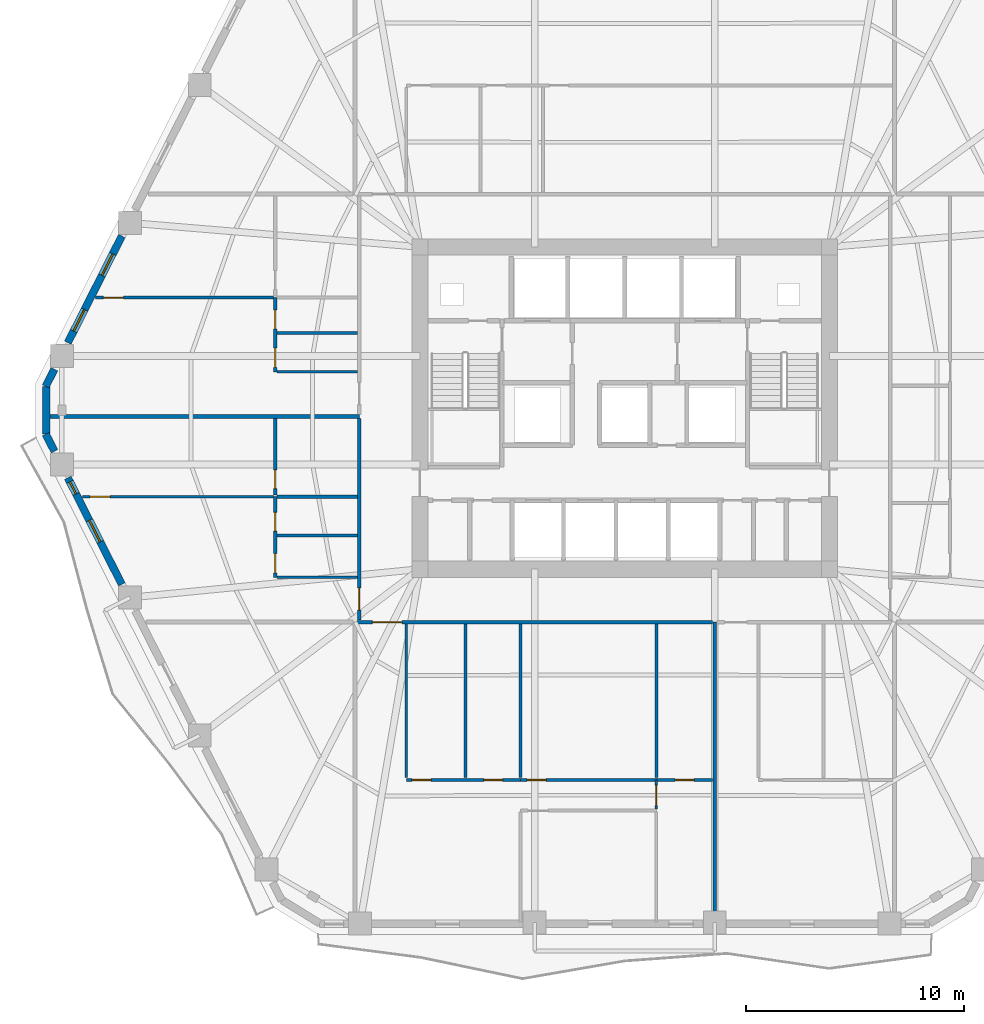
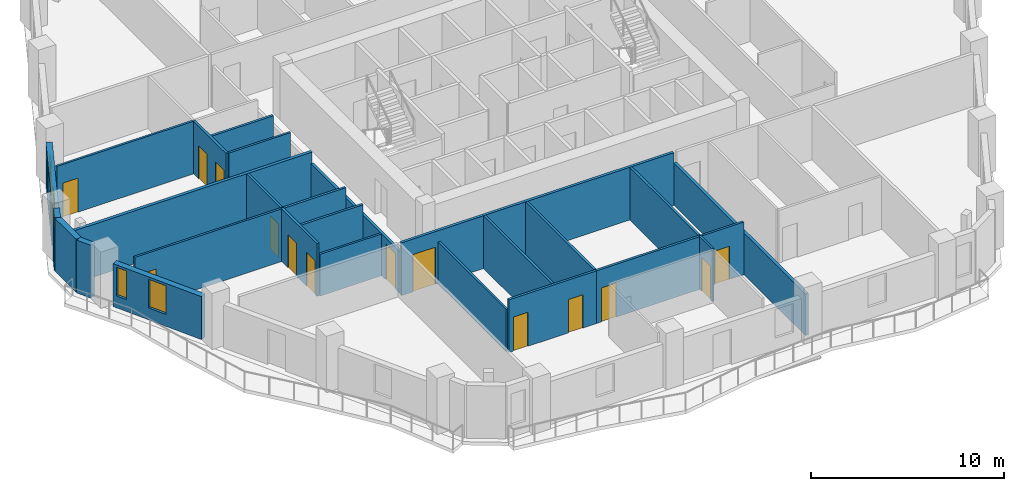
# One storey, part 4 of 11: 27 walls, 14 doors, 4 windows, 18 openings.
"""IFC4 building model written with IfcOpenShell, lengths in metres."""

from ifc_helpers import new_model, si_unit, direction, frame, frame_2d, origin, place, context, subcontext, project, spatial, rectangle, extrude, material, layer, layer_set, type_object, element, fill, save


model = new_model("IFC4")

# Units and contexts
model_context = context("Model", 3, precision=1e-05, world=origin(), true_north=direction((0.0, 1.0)))
body_context = subcontext(model_context, "Body", "Model", "MODEL_VIEW")
ifc_project = project(units=[si_unit("LENGTHUNIT", "METRE"), si_unit("AREAUNIT", "SQUARE_METRE"), si_unit("VOLUMEUNIT", "CUBIC_METRE"), si_unit("PLANEANGLEUNIT", "RADIAN"), si_unit("MASSUNIT", "GRAM", prefix="KILO")], contexts=[model_context])

# Site, building, storey
site_placement = place(None, origin())
site = spatial("IfcSite", under=ifc_project, at=site_placement, CompositionType="ELEMENT")
building_placement = place(site_placement, origin())
building = spatial("IfcBuilding", under=site, at=building_placement, Name="Cinnabar Lancet Tower", CompositionType="ELEMENT")
storey_placement = place(building_placement, frame((0.0, 0.0, 90.64990234375)))
storey = spatial("IfcBuildingStorey", under=building, at=storey_placement, Name="L23", CompositionType="ELEMENT", Elevation=90.64990234375)

# Wall, opening, door
ifc_material_1 = material(Name="Acoustic twin-stud gypsum partition", Category="gypsum")
ifc_layer_1 = layer(ifc_material_1, 0.159912109375)
ifc_layer_set_1 = layer_set([ifc_layer_1], Name="Acoustic twin-stud gypsum partition")
wall_type_1 = type_object("IfcWallType", Name="ARC-WL-CORR-160", PredefinedType="PARTITIONING", material=ifc_layer_set_1)
wall_1_placement = place(storey_placement, frame((20.14501953125, 16.10009765625, 0.0), z_axis=(0.0, 0.0, 1.0), x_axis=(1.0, 0.0, 0.0)))
wall_1 = element("IfcWall", 1, at=wall_1_placement, inside=storey, type_object=wall_type_1, Name="L23 Unit S01 Corridor Wall", PredefinedType="PARTITIONING", context=body_context, shape_type="SweptSolid", body=[
    extrude(rectangle(XDim=16.281982421875, YDim=0.159912109375, at=frame_2d((8.14111328125, 0.0))), origin(), (0.0, 0.0, 1.0), 3.330078125),
])
opening_1_placement = place(wall_1_placement, frame((0.705078125, 0.0, 0.0)))
opening_1 = element("IfcOpeningElement", 2, at=opening_1_placement, cuts=wall_1, Name="Opening UD-02", PredefinedType="OPENING", context=body_context, shape_type="SweptSolid", body=[
    extrude(rectangle(XDim=1.35009765625, YDim=2.35009765625, at=frame_2d((0.675048828125, 1.175048828125))), frame((0.0, 0.08984375, 0.0), z_axis=(0.0, -1.0, 0.0), x_axis=(1.0, 0.0, 0.0)), (0.0, 0.0, 1.0), 0.179931640625),
])
ifc_material_2 = material(Name="Double-leaf solid timber penthouse entrance door", Category="wood")
door_type_1 = type_object("IfcDoorType", Name="ARC-DR-UNIT-PH", OperationType="NOTDEFINED", PredefinedType="DOOR", material=ifc_material_2)
door_1_placement = place(opening_1_placement, origin())
door_1 = element("IfcDoor", 3, at=door_1_placement, inside=storey, type_object=door_type_1, Name="DR-L23-S01-ENT", OperationType="SINGLE_SWING_LEFT", OverallHeight=2.35009765625, OverallWidth=1.35009765625, PredefinedType="DOOR", context=body_context, shape_type="SweptSolid", body=[
    extrude(rectangle(XDim=1.35009765625, YDim=2.35009765625, at=frame_2d((0.675048828125, 1.175048828125))), frame((0.0, 0.02490234375, 0.0), z_axis=(0.0, -1.0, 0.0), x_axis=(1.0, 0.0, 0.0)), (0.0, 0.0, 1.0), 0.050048828125),
])
fill(opening_1, door_1)

wall_2_placement = place(storey_placement, frame((20.25, 16.195068359375, 0.0), z_axis=(0.0, 0.0, 1.0), x_axis=(0.0, 1.0, 0.0)))
wall_2 = element("IfcWall", 4, at=wall_2_placement, inside=storey, type_object=wall_type_1, Name="UW-L23-W01-COR", PredefinedType="PARTITIONING", context=body_context, shape_type="SweptSolid", body=[
    extrude(rectangle(XDim=9.218017578125, YDim=0.159912109375, at=frame_2d((4.60888671875, 0.0))), origin(), (0.0, 0.0, 1.0), 2.63720703125),
])
opening_2_placement = place(wall_2_placement, frame((0.449951171875, 0.0, 0.0)))
opening_2 = element("IfcOpeningElement", 5, at=opening_2_placement, cuts=wall_2, Name="Opening UD-01", PredefinedType="OPENING", context=body_context, shape_type="SweptSolid", body=[
    extrude(rectangle(XDim=1.02001953125, YDim=2.25, at=frame_2d((0.510009765625, 1.125))), frame((0.0, 0.08984375, 0.0), z_axis=(0.0, -1.0, 0.0), x_axis=(1.0, 0.0, 0.0)), (0.0, 0.0, 1.0), 0.179931640625),
])
ifc_material_3 = material(Name="Solid timber fire-rated apartment entrance door", Category="wood")
door_type_2 = type_object("IfcDoorType", Name="ARC-DR-UNIT", OperationType="NOTDEFINED", PredefinedType="DOOR", material=ifc_material_3)
door_2_placement = place(opening_2_placement, origin())
door_2 = element("IfcDoor", 6, at=door_2_placement, inside=storey, type_object=door_type_2, Name="DR-L23-W01-ENT", OperationType="SINGLE_SWING_LEFT", OverallHeight=2.25, OverallWidth=1.02001953125, PredefinedType="DOOR", context=body_context, shape_type="SweptSolid", body=[
    extrude(rectangle(XDim=1.02001953125, YDim=2.25, at=frame_2d((0.510009765625, 1.125))), frame((0.0, 0.02490234375, 0.0), z_axis=(0.0, -1.0, 0.0), x_axis=(1.0, 0.0, 0.0)), (0.0, 0.0, 1.0), 0.050048828125),
])
fill(opening_2, door_2)

# Walls
ifc_material_4 = material(Name="Fire-rated twin-frame acoustic drywall", Category="gypsum")
ifc_layer_2 = layer(ifc_material_4, 0.179931640625)
ifc_layer_set_2 = layer_set([ifc_layer_2], Name="Fire-rated twin-frame acoustic drywall")
wall_type_2 = type_object("IfcWallType", Name="ARC-WL-PARTY-180", PredefinedType="PARTITIONING", material=ifc_layer_set_2)
wall_3_placement = place(storey_placement, frame((36.52197265625, 2.455078125, 0.0), z_axis=(0.0, 0.0, 1.0), x_axis=(0.0, 1.0, 0.0)))
element("IfcWall", 7, at=wall_3_placement, inside=storey, type_object=wall_type_2, Name="PW-L23-SPTY-365", PredefinedType="PARTITIONING", context=body_context, shape_type="SweptSolid", body=[
    extrude(rectangle(XDim=13.64501953125, YDim=0.179931640625, at=frame_2d((6.822509765625, 0.0))), origin(), (0.0, 0.0, 1.0), 2.63720703125),
])
wall_4_placement = place(storey_placement, frame((6.0869140625, 25.508056640625, 0.0), z_axis=(0.0, 0.0, 1.0), x_axis=(1.0, 0.0, 0.0)))
element("IfcWall", 8, at=wall_4_placement, inside=storey, type_object=wall_type_2, Name="PW-L23-WPTY-1", PredefinedType="PARTITIONING", context=body_context, shape_type="SweptSolid", body=[
    extrude(rectangle(XDim=14.1630859375, YDim=0.179931640625, at=frame_2d((7.08154296875, 0.0))), origin(), (0.0, 0.0, 1.0), 3.330078125),
])
ifc_material_5 = material(Name="Gypsum plasterboard stud partition", Category="gypsum")
ifc_layer_3 = layer(ifc_material_5, 0.125)
ifc_layer_set_3 = layer_set([ifc_layer_3], Name="Gypsum plasterboard stud partition")
wall_type_3 = type_object("IfcWallType", Name="ARC-WL-UNIT-125", PredefinedType="PARTITIONING", material=ifc_layer_set_3)
wall_5_placement = place(storey_placement, frame((22.39990234375, 8.972900390625, 0.0), z_axis=(0.0, 0.0, 1.0), x_axis=(0.0, 1.0, 0.0)))
element("IfcWall", 9, at=wall_5_placement, inside=storey, type_object=wall_type_3, Name="UW-L23-S01-FOYE", PredefinedType="PARTITIONING", context=body_context, shape_type="SweptSolid", body=[
    extrude(rectangle(XDim=7.0419921875, YDim=0.125, at=frame_2d((3.52099609375, 0.0))), origin(), (0.0, 0.0, 1.0), 2.63720703125),
])

# Wall, opening, door
wall_6_placement = place(storey_placement, frame((33.85009765625, 8.867919921875, 0.0), z_axis=(0.0, 0.0, 1.0), x_axis=(1.0, 0.0, 0.0)))
wall_6 = element("IfcWall", 10, at=wall_6_placement, inside=storey, type_object=wall_type_3, Name="UW-L23-S01-SP2", PredefinedType="PARTITIONING", context=body_context, shape_type="SweptSolid", body=[
    extrude(rectangle(XDim=2.576904296875, YDim=0.125, at=frame_2d((1.28857421875, 0.0))), origin(), (0.0, 0.0, 1.0), 3.330078125),
])
opening_3_placement = place(wall_6_placement, frame((0.863037109375, 0.0, 0.0)))
opening_3 = element("IfcOpeningElement", 11, at=opening_3_placement, cuts=wall_6, Name="Opening BD-01", PredefinedType="OPENING", context=body_context, shape_type="SweptSolid", body=[
    extrude(rectangle(XDim=0.860107421875, YDim=2.10009765625, at=frame_2d((0.43017578125, 1.050048828125))), frame((0.0, 0.072509765625, 0.0), z_axis=(0.0, -1.0, 0.0), x_axis=(1.0, 0.0, 0.0)), (0.0, 0.0, 1.0), 0.14501953125),
])
ifc_material_6 = material(Name="Moisture-resistant timber bathroom door", Category="wood")
door_type_3 = type_object("IfcDoorType", Name="ARC-DR-BATH", OperationType="NOTDEFINED", PredefinedType="DOOR", material=ifc_material_6)
door_3_placement = place(opening_3_placement, origin())
door_3 = element("IfcDoor", 12, at=door_3_placement, inside=storey, type_object=door_type_3, Name="DR-L23-S01-ENS", OperationType="SINGLE_SWING_LEFT", OverallHeight=2.10009765625, OverallWidth=0.860107421875, PredefinedType="DOOR", context=body_context, shape_type="SweptSolid", body=[
    extrude(rectangle(XDim=0.860107421875, YDim=2.10009765625, at=frame_2d((0.43017578125, 1.050048828125))), frame((0.0, 0.02490234375, 0.0), z_axis=(0.0, -1.0, 0.0), x_axis=(1.0, 0.0, 0.0)), (0.0, 0.0, 1.0), 0.050048828125),
])
fill(opening_3, door_3)

wall_7_placement = place(storey_placement, frame((33.85009765625, 7.5380859375, 0.0), z_axis=(0.0, 0.0, 1.0), x_axis=(0.0, 1.0, 0.0)))
wall_7 = element("IfcWall", 13, at=wall_7_placement, inside=storey, type_object=wall_type_3, Name="UW-L23-S01-MBE", PredefinedType="PARTITIONING", context=body_context, shape_type="SweptSolid", body=[
    extrude(rectangle(XDim=1.329833984375, YDim=0.125, at=frame_2d((0.6650390625, 0.0))), origin(), (0.0, 0.0, 1.0), 3.330078125),
])
opening_4_placement = place(wall_7_placement, frame((0.159912109375, 0.0, 0.0)))
opening_4 = element("IfcOpeningElement", 14, at=opening_4_placement, cuts=wall_7, Name="Opening RD-01", PredefinedType="OPENING", context=body_context, shape_type="SweptSolid", body=[
    extrude(rectangle(XDim=0.919921875, YDim=2.14990234375, at=frame_2d((0.4599609375, 1.074951171875))), frame((0.0, 0.072509765625, 0.0), z_axis=(0.0, -1.0, 0.0), x_axis=(1.0, 0.0, 0.0)), (0.0, 0.0, 1.0), 0.14501953125),
])
ifc_material_7 = material(Name="Engineered timber bedroom door", Category="wood")
door_type_4 = type_object("IfcDoorType", Name="ARC-DR-ROOM", OperationType="NOTDEFINED", PredefinedType="DOOR", material=ifc_material_7)
door_4_placement = place(opening_4_placement, origin())
door_4 = element("IfcDoor", 15, at=door_4_placement, inside=storey, type_object=door_type_4, Name="DR-L23-S01-MBD", OperationType="SINGLE_SWING_RIGHT", OverallHeight=2.14990234375, OverallWidth=0.919921875, PredefinedType="DOOR", context=body_context, shape_type="SweptSolid", body=[
    extrude(rectangle(XDim=0.919921875, YDim=2.14990234375, at=frame_2d((0.4599609375, 1.074951171875))), frame((0.0, 0.02490234375, 0.0), z_axis=(0.0, -1.0, 0.0), x_axis=(1.0, 0.0, 0.0)), (0.0, 0.0, 1.0), 0.050048828125),
])
fill(opening_4, door_4)

# Wall
wall_8_placement = place(storey_placement, frame((16.485107421875, 18.14990234375, 0.0), z_axis=(0.0, 0.0, 1.0), x_axis=(1.0, 0.0, 0.0)))
element("IfcWall", 16, at=wall_8_placement, inside=storey, type_object=wall_type_3, Name="UW-L23-W01-FOYN", PredefinedType="PARTITIONING", context=body_context, shape_type="SweptSolid", body=[
    extrude(rectangle(XDim=3.679931640625, YDim=0.125, at=frame_2d((1.83984375, 0.0))), origin(), (0.0, 0.0, 1.0), 2.63720703125),
])

# Wall, opening, door
wall_9_placement = place(storey_placement, frame((7.568115234375, 21.839111328125, 0.0), z_axis=(0.0, 0.0, 1.0), x_axis=(1.0, 0.0, 0.0)))
wall_9 = element("IfcWall", 17, at=wall_9_placement, inside=storey, type_object=wall_type_3, Name="UW-L23-W01-MBN", PredefinedType="PARTITIONING", context=body_context, shape_type="SweptSolid", body=[
    extrude(rectangle(XDim=8.7568359375, YDim=0.125, at=frame_2d((4.37841796875, 0.0))), origin(), (0.0, 0.0, 1.0), 3.330078125),
])
opening_5_placement = place(wall_9_placement, frame((0.35009765625, 0.0, 0.0)))
opening_5 = element("IfcOpeningElement", 18, at=opening_5_placement, cuts=wall_9, Name="Opening RD-01", PredefinedType="OPENING", context=body_context, shape_type="SweptSolid", body=[
    extrude(rectangle(XDim=0.919921875, YDim=2.14990234375, at=frame_2d((0.4599609375, 1.074951171875))), frame((0.0, 0.072509765625, 0.0), z_axis=(0.0, -1.0, 0.0), x_axis=(1.0, 0.0, 0.0)), (0.0, 0.0, 1.0), 0.14501953125),
])
door_5_placement = place(opening_5_placement, origin())
door_5 = element("IfcDoor", 19, at=door_5_placement, inside=storey, type_object=door_type_4, Name="DR-L23-W01-MBD", OperationType="SINGLE_SWING_LEFT", OverallHeight=2.14990234375, OverallWidth=0.919921875, PredefinedType="DOOR", context=body_context, shape_type="SweptSolid", body=[
    extrude(rectangle(XDim=0.919921875, YDim=2.14990234375, at=frame_2d((0.4599609375, 1.074951171875))), frame((0.0, 0.02490234375, 0.0), z_axis=(0.0, -1.0, 0.0), x_axis=(1.0, 0.0, 0.0)), (0.0, 0.0, 1.0), 0.050048828125),
])
fill(opening_5, door_5)

# Wall
wall_10_placement = place(storey_placement, frame((16.485107421875, 27.55810546875, 0.0), z_axis=(0.0, 0.0, 1.0), x_axis=(1.0, 0.0, 0.0)))
element("IfcWall", 20, at=wall_10_placement, inside=storey, type_object=wall_type_3, Name="UW-L23-W02-FOYN", PredefinedType="PARTITIONING", context=body_context, shape_type="SweptSolid", body=[
    extrude(rectangle(XDim=3.679931640625, YDim=0.125, at=frame_2d((1.83984375, 0.0))), origin(), (0.0, 0.0, 1.0), 3.330078125),
])

# Wall, opening, door
wall_11_placement = place(storey_placement, frame((8.174072265625, 30.9580078125, 0.0), z_axis=(0.0, 0.0, 1.0), x_axis=(1.0, 0.0, 0.0)))
wall_11 = element("IfcWall", 21, at=wall_11_placement, inside=storey, type_object=wall_type_3, Name="UW-L23-W02-MBN", PredefinedType="PARTITIONING", context=body_context, shape_type="SweptSolid", body=[
    extrude(rectangle(XDim=8.15087890625, YDim=0.125, at=frame_2d((4.075439453125, 0.0))), origin(), (0.0, 0.0, 1.0), 3.330078125),
])
opening_6_placement = place(wall_11_placement, frame((0.35009765625, 0.0, 0.0)))
opening_6 = element("IfcOpeningElement", 22, at=opening_6_placement, cuts=wall_11, Name="Opening RD-01", PredefinedType="OPENING", context=body_context, shape_type="SweptSolid", body=[
    extrude(rectangle(XDim=0.919921875, YDim=2.14990234375, at=frame_2d((0.4599609375, 1.074951171875))), frame((0.0, 0.072509765625, 0.0), z_axis=(0.0, -1.0, 0.0), x_axis=(1.0, 0.0, 0.0)), (0.0, 0.0, 1.0), 0.14501953125),
])
door_6_placement = place(opening_6_placement, origin())
door_6 = element("IfcDoor", 23, at=door_6_placement, inside=storey, type_object=door_type_4, Name="DR-L23-W02-MBD", OperationType="SINGLE_SWING_RIGHT", OverallHeight=2.14990234375, OverallWidth=0.919921875, PredefinedType="DOOR", context=body_context, shape_type="SweptSolid", body=[
    extrude(rectangle(XDim=0.919921875, YDim=2.14990234375, at=frame_2d((0.4599609375, 1.074951171875))), frame((0.0, 0.02490234375, 0.0), z_axis=(0.0, -1.0, 0.0), x_axis=(1.0, 0.0, 0.0)), (0.0, 0.0, 1.0), 0.050048828125),
])
fill(opening_6, door_6)

# Wall, openings, doors
ifc_material_8 = material(Name="Moisture-resistant cement-board plumbing wall", Category="masonry")
ifc_layer_4 = layer(ifc_material_8, 0.139892578125)
ifc_layer_set_4 = layer_set([ifc_layer_4], Name="Moisture-resistant cement-board plumbing wall")
wall_type_4 = type_object("IfcWallType", Name="ARC-WL-WET-140", PredefinedType="PLUMBINGWALL", material=ifc_layer_set_4)
wall_12_placement = place(storey_placement, frame((22.39990234375, 8.867919921875, 0.0), z_axis=(0.0, 0.0, 1.0), x_axis=(1.0, 0.0, 0.0)))
wall_12 = element("IfcWall", 24, at=wall_12_placement, inside=storey, type_object=wall_type_4, Name="UW-L23-S01-SPL", PredefinedType="PLUMBINGWALL", context=body_context, shape_type="SweptSolid", body=[
    extrude(rectangle(XDim=5.22705078125, YDim=0.139892578125, at=frame_2d((2.613525390625, 0.0))), origin(), (0.0, 0.0, 1.0), 3.330078125),
])
opening_7_placement = place(wall_12_placement, frame((3.548095703125, 0.0, 0.0)))
opening_7 = element("IfcOpeningElement", 25, at=opening_7_placement, cuts=wall_12, Name="Opening BD-01", PredefinedType="OPENING", context=body_context, shape_type="SweptSolid", body=[
    extrude(rectangle(XDim=0.860107421875, YDim=2.10009765625, at=frame_2d((0.43017578125, 1.050048828125))), frame((0.0, 0.079833984375, 0.0), z_axis=(0.0, -1.0, 0.0), x_axis=(1.0, 0.0, 0.0)), (0.0, 0.0, 1.0), 0.159912109375),
])
opening_8_placement = place(wall_12_placement, frame((0.260009765625, 0.0, 0.0)))
opening_8 = element("IfcOpeningElement", 26, at=opening_8_placement, cuts=wall_12, Name="Opening RD-02", PredefinedType="OPENING", context=body_context, shape_type="SweptSolid", body=[
    extrude(rectangle(XDim=0.8798828125, YDim=2.14990234375, at=frame_2d((0.43994140625, 1.074951171875))), frame((0.0, 0.079833984375, 0.0), z_axis=(0.0, -1.0, 0.0), x_axis=(1.0, 0.0, 0.0)), (0.0, 0.0, 1.0), 0.159912109375),
])
door_7_placement = place(opening_7_placement, origin())
door_7 = element("IfcDoor", 27, at=door_7_placement, inside=storey, type_object=door_type_3, Name="DR-L23-S01-BTH", OperationType="SINGLE_SWING_LEFT", OverallHeight=2.10009765625, OverallWidth=0.860107421875, PredefinedType="DOOR", context=body_context, shape_type="SweptSolid", body=[
    extrude(rectangle(XDim=0.860107421875, YDim=2.10009765625, at=frame_2d((0.43017578125, 1.050048828125))), frame((0.0, 0.02490234375, 0.0), z_axis=(0.0, -1.0, 0.0), x_axis=(1.0, 0.0, 0.0)), (0.0, 0.0, 1.0), 0.050048828125),
])
fill(opening_7, door_7)
ifc_material_9 = material(Name="Engineered timber study door", Category="wood")
door_type_5 = type_object("IfcDoorType", Name="ARC-DR-STUDY", OperationType="NOTDEFINED", PredefinedType="DOOR", material=ifc_material_9)
door_8_placement = place(opening_8_placement, origin())
door_8 = element("IfcDoor", 28, at=door_8_placement, inside=storey, type_object=door_type_5, Name="DR-L23-S01-KIT", OperationType="SINGLE_SWING_RIGHT", OverallHeight=2.14990234375, OverallWidth=0.8798828125, PredefinedType="DOOR", context=body_context, shape_type="SweptSolid", body=[
    extrude(rectangle(XDim=0.8798828125, YDim=2.14990234375, at=frame_2d((0.43994140625, 1.074951171875))), frame((0.0, 0.02490234375, 0.0), z_axis=(0.0, -1.0, 0.0), x_axis=(1.0, 0.0, 0.0)), (0.0, 0.0, 1.0), 0.050048828125),
])
fill(opening_8, door_8)

# Wall, opening, door
wall_13_placement = place(storey_placement, frame((27.626953125, 8.867919921875, 0.0), z_axis=(0.0, 0.0, 1.0), x_axis=(1.0, 0.0, 0.0)))
wall_13 = element("IfcWall", 29, at=wall_13_placement, inside=storey, type_object=wall_type_4, Name="UW-L23-S01-SPM", PredefinedType="PLUMBINGWALL", context=body_context, shape_type="SweptSolid", body=[
    extrude(rectangle(XDim=6.22314453125, YDim=0.139892578125, at=frame_2d((3.111572265625, 0.0))), origin(), (0.0, 0.0, 1.0), 3.330078125),
])
opening_9_placement = place(wall_13_placement, frame((0.300048828125, 0.0, 0.0)))
opening_9 = element("IfcOpeningElement", 30, at=opening_9_placement, cuts=wall_13, Name="Opening RD-02", PredefinedType="OPENING", context=body_context, shape_type="SweptSolid", body=[
    extrude(rectangle(XDim=0.8798828125, YDim=2.14990234375, at=frame_2d((0.43994140625, 1.074951171875))), frame((0.0, 0.079833984375, 0.0), z_axis=(0.0, -1.0, 0.0), x_axis=(1.0, 0.0, 0.0)), (0.0, 0.0, 1.0), 0.159912109375),
])
door_9_placement = place(opening_9_placement, origin())
door_9 = element("IfcDoor", 31, at=door_9_placement, inside=storey, type_object=door_type_5, Name="DR-L23-S01-UTL", OperationType="SINGLE_SWING_LEFT", OverallHeight=2.14990234375, OverallWidth=0.8798828125, PredefinedType="DOOR", context=body_context, shape_type="SweptSolid", body=[
    extrude(rectangle(XDim=0.8798828125, YDim=2.14990234375, at=frame_2d((0.43994140625, 1.074951171875))), frame((0.0, 0.02490234375, 0.0), z_axis=(0.0, -1.0, 0.0), x_axis=(1.0, 0.0, 0.0)), (0.0, 0.0, 1.0), 0.050048828125),
])
fill(opening_9, door_9)

# Walls
for number, where, z_axis, x_axis, name in (
    (32, (25.117919921875, 8.972900390625, 0.0), (0.0, 0.0, 1.0), (0.0, 1.0, 0.0), "UW-L23-S01-KDV"),
    (33, (27.626953125, 8.972900390625, 0.0), (0.0, 0.0, 1.0), (0.0, 1.0, 0.0), "UW-L23-S01-ENSW"),
    (34, (33.85009765625, 8.972900390625, 0.0), (0.0, 0.0, 1.0), (0.0, 1.0, 0.0), "UW-L23-S01-ENSE"),
):
    element("IfcWall", number, at=place(storey_placement, frame(where, z_axis=z_axis, x_axis=x_axis)), inside=storey, type_object=wall_type_4, Name=name, PredefinedType="PLUMBINGWALL", context=body_context, shape_type="SweptSolid", body=[
        extrude(rectangle(XDim=7.0419921875, YDim=0.139892578125, at=frame_2d((3.52099609375, 0.0))), origin(), (0.0, 0.0, 1.0), 3.330078125),
    ])

# Wall, openings, doors
wall_14_placement = place(storey_placement, frame((16.39990234375, 18.14990234375, 0.0), z_axis=(0.0, 0.0, 1.0), x_axis=(0.0, 1.0, 0.0)))
wall_14 = element("IfcWall", 35, at=wall_14_placement, inside=storey, type_object=wall_type_4, Name="UW-L23-W01-SPL", PredefinedType="PLUMBINGWALL", context=body_context, shape_type="SweptSolid", body=[
    extrude(rectangle(XDim=3.689208984375, YDim=0.139892578125, at=frame_2d((1.8447265625, 0.0))), origin(), (0.0, 0.0, 1.0), 3.330078125),
])
opening_10_placement = place(wall_14_placement, frame((0.199951171875, 0.0, 0.0)))
opening_10 = element("IfcOpeningElement", 36, at=opening_10_placement, cuts=wall_14, Name="Opening RD-02", PredefinedType="OPENING", context=body_context, shape_type="SweptSolid", body=[
    extrude(rectangle(XDim=0.8798828125, YDim=2.14990234375, at=frame_2d((0.43994140625, 1.074951171875))), frame((0.0, 0.079833984375, 0.0), z_axis=(0.0, -1.0, 0.0), x_axis=(1.0, 0.0, 0.0)), (0.0, 0.0, 1.0), 0.159912109375),
])
opening_11_placement = place(wall_14_placement, frame((2.117919921875, 0.0, 0.0)))
opening_11 = element("IfcOpeningElement", 37, at=opening_11_placement, cuts=wall_14, Name="Opening BD-01", PredefinedType="OPENING", context=body_context, shape_type="SweptSolid", body=[
    extrude(rectangle(XDim=0.860107421875, YDim=2.10009765625, at=frame_2d((0.43017578125, 1.050048828125))), frame((0.0, 0.079833984375, 0.0), z_axis=(0.0, -1.0, 0.0), x_axis=(1.0, 0.0, 0.0)), (0.0, 0.0, 1.0), 0.159912109375),
])
door_10_placement = place(opening_11_placement, origin())
door_10 = element("IfcDoor", 38, at=door_10_placement, inside=storey, type_object=door_type_3, Name="DR-L23-W01-BTH", OperationType="SINGLE_SWING_LEFT", OverallHeight=2.10009765625, OverallWidth=0.860107421875, PredefinedType="DOOR", context=body_context, shape_type="SweptSolid", body=[
    extrude(rectangle(XDim=0.860107421875, YDim=2.10009765625, at=frame_2d((0.43017578125, 1.050048828125))), frame((0.0, 0.02490234375, 0.0), z_axis=(0.0, -1.0, 0.0), x_axis=(1.0, 0.0, 0.0)), (0.0, 0.0, 1.0), 0.050048828125),
])
fill(opening_11, door_10)
door_11_placement = place(opening_10_placement, origin())
door_11 = element("IfcDoor", 39, at=door_11_placement, inside=storey, type_object=door_type_5, Name="DR-L23-W01-KIT", OperationType="SINGLE_SWING_RIGHT", OverallHeight=2.14990234375, OverallWidth=0.8798828125, PredefinedType="DOOR", context=body_context, shape_type="SweptSolid", body=[
    extrude(rectangle(XDim=0.8798828125, YDim=2.14990234375, at=frame_2d((0.43994140625, 1.074951171875))), frame((0.0, 0.02490234375, 0.0), z_axis=(0.0, -1.0, 0.0), x_axis=(1.0, 0.0, 0.0)), (0.0, 0.0, 1.0), 0.050048828125),
])
fill(opening_10, door_11)

# Wall, opening, door
wall_15_placement = place(storey_placement, frame((16.39990234375, 21.908935546875, 0.0), z_axis=(0.0, 0.0, 1.0), x_axis=(0.0, 1.0, 0.0)))
wall_15 = element("IfcWall", 40, at=wall_15_placement, inside=storey, type_object=wall_type_4, Name="UW-L23-W01-SPM", PredefinedType="PLUMBINGWALL", context=body_context, shape_type="SweptSolid", body=[
    extrude(rectangle(XDim=3.504150390625, YDim=0.139892578125, at=frame_2d((1.751953125, 0.0))), origin(), (0.0, 0.0, 1.0), 3.330078125),
])
opening_12_placement = place(wall_15_placement, frame((0.300048828125, 0.0, 0.0)))
opening_12 = element("IfcOpeningElement", 41, at=opening_12_placement, cuts=wall_15, Name="Opening BD-01", PredefinedType="OPENING", context=body_context, shape_type="SweptSolid", body=[
    extrude(rectangle(XDim=0.860107421875, YDim=2.10009765625, at=frame_2d((0.43017578125, 1.050048828125))), frame((0.0, 0.079833984375, 0.0), z_axis=(0.0, -1.0, 0.0), x_axis=(1.0, 0.0, 0.0)), (0.0, 0.0, 1.0), 0.159912109375),
])
door_12_placement = place(opening_12_placement, origin())
door_12 = element("IfcDoor", 42, at=door_12_placement, inside=storey, type_object=door_type_3, Name="DR-L23-W01-ENS", OperationType="SINGLE_SWING_LEFT", OverallHeight=2.10009765625, OverallWidth=0.860107421875, PredefinedType="DOOR", context=body_context, shape_type="SweptSolid", body=[
    extrude(rectangle(XDim=0.860107421875, YDim=2.10009765625, at=frame_2d((0.43017578125, 1.050048828125))), frame((0.0, 0.02490234375, 0.0), z_axis=(0.0, -1.0, 0.0), x_axis=(1.0, 0.0, 0.0)), (0.0, 0.0, 1.0), 0.050048828125),
])
fill(opening_12, door_12)

# Walls
for number, where, z_axis, x_axis, name in (
    (43, (16.485107421875, 21.839111328125, 0.0), (0.0, 0.0, 1.0), (1.0, 0.0, 0.0), "UW-L23-W01-ENSN"),
    (44, (16.485107421875, 20.068115234375, 0.0), (0.0, 0.0, 1.0), (1.0, 0.0, 0.0), "UW-L23-W01-KDV"),
):
    element("IfcWall", number, at=place(storey_placement, frame(where, z_axis=z_axis, x_axis=x_axis)), inside=storey, type_object=wall_type_4, Name=name, PredefinedType="PLUMBINGWALL", context=body_context, shape_type="SweptSolid", body=[
        extrude(rectangle(XDim=3.679931640625, YDim=0.139892578125, at=frame_2d((1.83984375, 0.0))), origin(), (0.0, 0.0, 1.0), 3.330078125),
    ])

# Wall, openings, doors
wall_16_placement = place(storey_placement, frame((16.39990234375, 27.55810546875, 0.0), z_axis=(0.0, 0.0, 1.0), x_axis=(0.0, 1.0, 0.0)))
wall_16 = element("IfcWall", 45, at=wall_16_placement, inside=storey, type_object=wall_type_4, Name="UW-L23-W02-SPL", PredefinedType="PLUMBINGWALL", context=body_context, shape_type="SweptSolid", body=[
    extrude(rectangle(XDim=3.39990234375, YDim=0.139892578125, at=frame_2d((1.699951171875, 0.0))), origin(), (0.0, 0.0, 1.0), 3.330078125),
])
opening_13_placement = place(wall_16_placement, frame((0.199951171875, 0.0, 0.0)))
opening_13 = element("IfcOpeningElement", 46, at=opening_13_placement, cuts=wall_16, Name="Opening RD-02", PredefinedType="OPENING", context=body_context, shape_type="SweptSolid", body=[
    extrude(rectangle(XDim=0.8798828125, YDim=2.14990234375, at=frame_2d((0.43994140625, 1.074951171875))), frame((0.0, 0.079833984375, 0.0), z_axis=(0.0, -1.0, 0.0), x_axis=(1.0, 0.0, 0.0)), (0.0, 0.0, 1.0), 0.159912109375),
])
opening_14_placement = place(wall_16_placement, frame((1.968017578125, 0.0, 0.0)))
opening_14 = element("IfcOpeningElement", 47, at=opening_14_placement, cuts=wall_16, Name="Opening BD-01", PredefinedType="OPENING", context=body_context, shape_type="SweptSolid", body=[
    extrude(rectangle(XDim=0.860107421875, YDim=2.10009765625, at=frame_2d((0.43017578125, 1.050048828125))), frame((0.0, 0.079833984375, 0.0), z_axis=(0.0, -1.0, 0.0), x_axis=(1.0, 0.0, 0.0)), (0.0, 0.0, 1.0), 0.159912109375),
])
door_13_placement = place(opening_14_placement, origin())
door_13 = element("IfcDoor", 48, at=door_13_placement, inside=storey, type_object=door_type_3, Name="DR-L23-W02-BTH", OperationType="SINGLE_SWING_RIGHT", OverallHeight=2.10009765625, OverallWidth=0.860107421875, PredefinedType="DOOR", context=body_context, shape_type="SweptSolid", body=[
    extrude(rectangle(XDim=0.860107421875, YDim=2.10009765625, at=frame_2d((0.43017578125, 1.050048828125))), frame((0.0, 0.02490234375, 0.0), z_axis=(0.0, -1.0, 0.0), x_axis=(1.0, 0.0, 0.0)), (0.0, 0.0, 1.0), 0.050048828125),
])
fill(opening_14, door_13)
door_14_placement = place(opening_13_placement, origin())
door_14 = element("IfcDoor", 49, at=door_14_placement, inside=storey, type_object=door_type_5, Name="DR-L23-W02-KIT", OperationType="SINGLE_SWING_LEFT", OverallHeight=2.14990234375, OverallWidth=0.8798828125, PredefinedType="DOOR", context=body_context, shape_type="SweptSolid", body=[
    extrude(rectangle(XDim=0.8798828125, YDim=2.14990234375, at=frame_2d((0.43994140625, 1.074951171875))), frame((0.0, 0.02490234375, 0.0), z_axis=(0.0, -1.0, 0.0), x_axis=(1.0, 0.0, 0.0)), (0.0, 0.0, 1.0), 0.050048828125),
])
fill(opening_13, door_14)

# Walls
wall_17_placement = place(storey_placement, frame((16.485107421875, 29.325927734375, 0.0), z_axis=(0.0, 0.0, 1.0), x_axis=(1.0, 0.0, 0.0)))
element("IfcWall", 50, at=wall_17_placement, inside=storey, type_object=wall_type_4, Name="UW-L23-W02-KDV", PredefinedType="PLUMBINGWALL", context=body_context, shape_type="SweptSolid", body=[
    extrude(rectangle(XDim=3.679931640625, YDim=0.139892578125, at=frame_2d((1.83984375, 0.0))), origin(), (0.0, 0.0, 1.0), 3.330078125),
])
ifc_material_10 = material(Name="Cinnabar red clay brick", Category="masonry")
ifc_layer_5 = layer(ifc_material_10, 0.340087890625)
ifc_layer_set_5 = layer_set([ifc_layer_5], Name="Cinnabar red clay brick")
wall_type_5 = type_object("IfcWallType", Name="ENV-WL-BRK-RED-340", PredefinedType="STANDARD", material=ifc_layer_set_5)
wall_18_placement = place(storey_placement, frame((5.912109375, 26.885986328125, 0.0), z_axis=(0.0, 0.0, 1.0), x_axis=(0.0, -1.0, 0.0)))
element("IfcWall", 51, at=wall_18_placement, inside=storey, type_object=wall_type_5, Name="L23 Chamfered Corner Brick Pier 6.1", PredefinedType="STANDARD", context=body_context, shape_type="SweptSolid", body=[
    extrude(rectangle(XDim=2.171875, YDim=0.340087890625, at=frame_2d((1.0859375, 0.0))), origin(), (0.0, 0.0, 1.0), 3.330078125),
])

# Wall, openings, windows
wall_19_placement = place(storey_placement, frame((9.3740234375, 33.77587890625, 0.0), z_axis=(0.0, 0.0, 1.0), x_axis=(-0.451597066012, -0.892221995901, 0.0)))
wall_19 = element("IfcWall", 52, at=wall_19_placement, inside=storey, type_object=wall_type_5, Name="L23 Face 5 Masonry Bay Wall 4", PredefinedType="STANDARD", context=body_context, shape_type="SweptSolid", body=[
    extrude(rectangle(XDim=5.4736328125, YDim=0.340087890625, at=frame_2d((2.73681640625, 0.0))), origin(), (0.0, 0.0, 1.0), 2.712158203125),
])
opening_15_placement = place(wall_19_placement, frame((0.91796875, 0.0, 0.75)))
opening_15 = element("IfcOpeningElement", 53, at=opening_15_placement, cuts=wall_19, Name="Opening WN-04", PredefinedType="OPENING", context=body_context, shape_type="SweptSolid", body=[
    extrude(rectangle(XDim=1.10009765625, YDim=1.81201171875, at=frame_2d((0.550048828125, 0.906005859375))), frame((0.0, 0.179931640625, 0.0), z_axis=(0.0, -1.0, 0.0), x_axis=(1.0, 0.0, 0.0)), (0.0, 0.0, 1.0), 0.360107421875),
])
opening_16_placement = place(wall_19_placement, frame((3.77490234375, 0.0, 0.75)))
opening_16 = element("IfcOpeningElement", 54, at=opening_16_placement, cuts=wall_19, Name="Opening WN-04", PredefinedType="OPENING", context=body_context, shape_type="SweptSolid", body=[
    extrude(rectangle(XDim=1.10009765625, YDim=1.81201171875, at=frame_2d((0.550048828125, 0.906005859375))), frame((0.0, 0.179931640625, 0.0), z_axis=(0.0, -1.0, 0.0), x_axis=(1.0, 0.0, 0.0)), (0.0, 0.0, 1.0), 0.360107421875),
])
ifc_material_11 = material(Name="Thermally broken bronze-anodized aluminium tall lancet window", Category="aluminium")
window_type = type_object("IfcWindowType", Name="ENV-WN-LANCET-1100", PartitioningType="SINGLE_PANEL", PredefinedType="WINDOW", material=ifc_material_11)
window_1_placement = place(opening_15_placement, origin())
window_1 = element("IfcWindow", 55, at=window_1_placement, inside=storey, type_object=window_type, Name="L23 Face 5 Gothic Lancet Window 4", OverallHeight=1.81201171875, OverallWidth=1.10009765625, PartitioningType="SINGLE_PANEL", PredefinedType="WINDOW", context=body_context, shape_type="SweptSolid", body=[
    extrude(rectangle(XDim=1.10009765625, YDim=1.81201171875, at=frame_2d((0.550048828125, 0.906005859375))), frame((0.0, 0.030029296875, 0.0), z_axis=(0.0, -1.0, 0.0), x_axis=(1.0, 0.0, 0.0)), (0.0, 0.0, 1.0), 0.06005859375),
])
fill(opening_15, window_1)
window_2_placement = place(opening_16_placement, origin())
window_2 = element("IfcWindow", 56, at=window_2_placement, inside=storey, type_object=window_type, Name="L23 Split-Bay Gothic Lancet Window 77", OverallHeight=1.81201171875, OverallWidth=1.10009765625, PartitioningType="SINGLE_PANEL", PredefinedType="WINDOW", context=body_context, shape_type="SweptSolid", body=[
    extrude(rectangle(XDim=1.10009765625, YDim=1.81201171875, at=frame_2d((0.550048828125, 0.906005859375))), frame((0.0, 0.030029296875, 0.0), z_axis=(0.0, -1.0, 0.0), x_axis=(1.0, 0.0, 0.0)), (0.0, 0.0, 1.0), 0.06005859375),
])
fill(opening_16, window_2)

# Walls
wall_20_placement = place(storey_placement, frame((6.2890625, 27.679931640625, 0.0), z_axis=(0.0, 0.0, 1.0), x_axis=(-0.451306655769, -0.892368927327, 0.0)))
element("IfcWall", 57, at=wall_20_placement, inside=storey, type_object=wall_type_5, Name="L23 Face 5 Masonry Bay Wall 5", PredefinedType="STANDARD", context=body_context, shape_type="SweptSolid", body=[
    extrude(rectangle(XDim=0.8818359375, YDim=0.340087890625, at=frame_2d((0.44091796875, 0.0))), origin(), (0.0, 0.0, 1.0), 3.330078125),
])
wall_21_placement = place(storey_placement, frame((5.89111328125, 24.70703125, 0.0), z_axis=(0.0, 0.0, 1.0), x_axis=(0.451195173259, -0.892425299747, 0.0)))
element("IfcWall", 58, at=wall_21_placement, inside=storey, type_object=wall_type_5, Name="L23 Face 6 Masonry Bay Wall 1", PredefinedType="STANDARD", context=body_context, shape_type="SweptSolid", body=[
    extrude(rectangle(XDim=0.882080078125, YDim=0.340087890625, at=frame_2d((0.44091796875, 0.0))), origin(), (0.0, 0.0, 1.0), 3.330078125),
])

# Wall, openings, windows
wall_22_placement = place(storey_placement, frame((6.902099609375, 22.7080078125, 0.0), z_axis=(0.0, 0.0, 1.0), x_axis=(0.451579095309, -0.892231091523, 0.0)))
wall_22 = element("IfcWall", 59, at=wall_22_placement, inside=storey, type_object=wall_type_5, Name="L23 Face 6 Masonry Bay Wall 2", PredefinedType="STANDARD", context=body_context, shape_type="SweptSolid", body=[
    extrude(rectangle(XDim=5.473876953125, YDim=0.340087890625, at=frame_2d((2.73681640625, 0.0))), origin(), (0.0, 0.0, 1.0), 2.712158203125),
])
opening_17_placement = place(wall_22_placement, frame((2.18701171875, 0.0, 0.75)))
opening_17 = element("IfcOpeningElement", 60, at=opening_17_placement, cuts=wall_22, Name="Opening WN-04", PredefinedType="OPENING", context=body_context, shape_type="SweptSolid", body=[
    extrude(rectangle(XDim=1.10009765625, YDim=1.81201171875, at=frame_2d((0.550048828125, 0.906005859375))), frame((0.0, 0.179931640625, 0.0), z_axis=(0.0, -1.0, 0.0), x_axis=(1.0, 0.0, 0.0)), (0.0, 0.0, 1.0), 0.360107421875),
])
opening_18_placement = place(wall_22_placement, frame((0.2099609375, 0.0, 0.75)))
opening_18 = element("IfcOpeningElement", 61, at=opening_18_placement, cuts=wall_22, Name="Opening WN-04", PredefinedType="OPENING", context=body_context, shape_type="SweptSolid", body=[
    extrude(rectangle(XDim=0.6259765625, YDim=1.81201171875, at=frame_2d((0.31298828125, 0.906005859375))), frame((0.0, 0.179931640625, 0.0), z_axis=(0.0, -1.0, 0.0), x_axis=(1.0, 0.0, 0.0)), (0.0, 0.0, 1.0), 0.360107421875),
])
window_3_placement = place(opening_17_placement, origin())
window_3 = element("IfcWindow", 62, at=window_3_placement, inside=storey, type_object=window_type, Name="L23 Face 6 Gothic Lancet Window 2", OverallHeight=1.81201171875, OverallWidth=1.10009765625, PartitioningType="SINGLE_PANEL", PredefinedType="WINDOW", context=body_context, shape_type="SweptSolid", body=[
    extrude(rectangle(XDim=1.10009765625, YDim=1.81201171875, at=frame_2d((0.550048828125, 0.906005859375))), frame((0.0, 0.030029296875, 0.0), z_axis=(0.0, -1.0, 0.0), x_axis=(1.0, 0.0, 0.0)), (0.0, 0.0, 1.0), 0.06005859375),
])
fill(opening_17, window_3)
window_4_placement = place(opening_18_placement, origin())
window_4 = element("IfcWindow", 63, at=window_4_placement, inside=storey, type_object=window_type, Name="L23 Dwelling Gothic Lancet Window 313", OverallHeight=1.81201171875, OverallWidth=0.6259765625, PartitioningType="SINGLE_PANEL", PredefinedType="WINDOW", context=body_context, shape_type="SweptSolid", body=[
    extrude(rectangle(XDim=0.6259765625, YDim=1.81201171875, at=frame_2d((0.31298828125, 0.906005859375))), frame((0.0, 0.030029296875, 0.0), z_axis=(0.0, -1.0, 0.0), x_axis=(1.0, 0.0, 0.0)), (0.0, 0.0, 1.0), 0.06005859375),
])
fill(opening_18, window_4)

save(model, "model.ifc")
